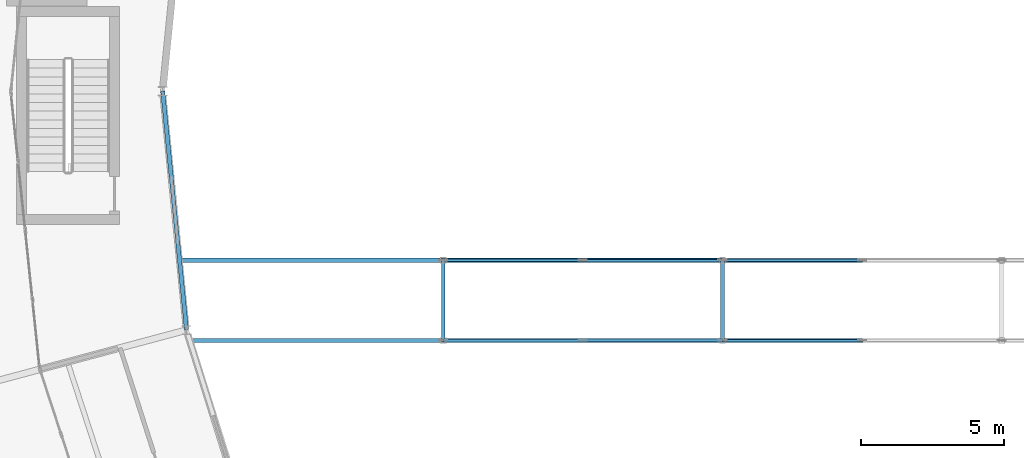
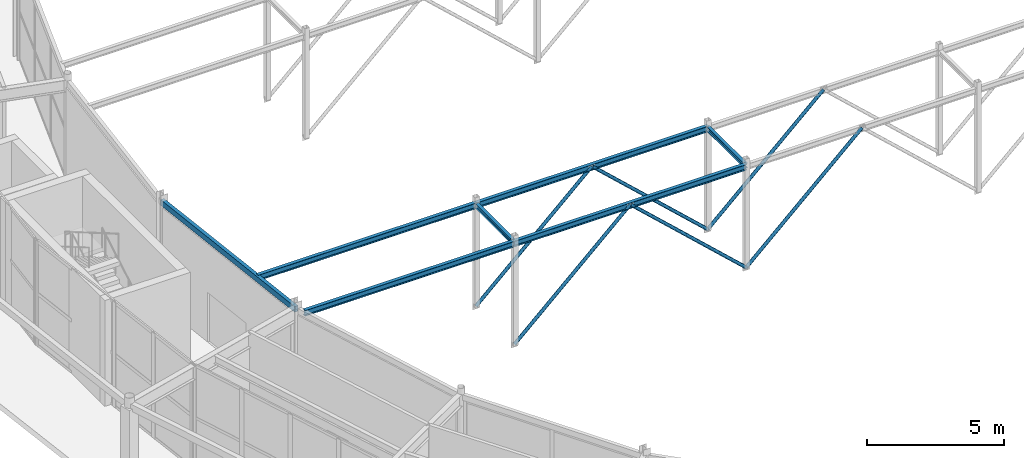
# One storey, part 44 of 144: 7 beams, 6 members.
"""IFC4 building model written with IfcOpenShell, lengths in metres."""

import ifcopenshell
import ifcopenshell.guid

model = None  # the IFC model being written
_history = None  # IfcOwnerHistory: only IFC2X3 demands one
_inside = {}  # id of a spatial element -> (the spatial element, [elements in it])
_under = {}  # id of a project, library or spatial element -> (it, [spatial elements below it])
_declared = {}  # id of a project -> (the project, [libraries it declares])
_typed = {}  # id of a type object -> (the type object, [elements of that type])
_made_of = {}  # id of a material, layer set ... -> (it, [elements and type objects made of it])


def new_model(schema):
    """Start an empty IFC model of exactly this schema.

    Asked for "IFC4X3", IfcOpenShell would pick the latest addendum, in which some entities
    have other attributes; the version numbers below select the first issue.
    IFC2X3 requires an IfcOwnerHistory on every rooted entity: one is made here for all.
    """
    global model, _history
    if schema == "IFC4X3":
        model = ifcopenshell.file(schema_version=(4, 3, 0, 0))
    else:
        model = ifcopenshell.file(schema=schema)
    _inside.clear()
    _under.clear()
    _declared.clear()
    _typed.clear()
    _made_of.clear()
    _history = None
    if model.schema == "IFC2X3":
        org = make("IfcOrganization", Name="unknown")
        user = make(
            "IfcPersonAndOrganization",
            ThePerson=make("IfcPerson", FamilyName="unknown"),
            TheOrganization=org,
        )
        app = make(
            "IfcApplication",
            ApplicationDeveloper=org,
            Version="unknown",
            ApplicationFullName="unknown",
            ApplicationIdentifier="unknown",
        )
        _history = make(
            "IfcOwnerHistory",
            OwningUser=user,
            OwningApplication=app,
            ChangeAction="ADDED",
            CreationDate=0,
        )
    return model


def make(cls, **values):
    """One entity of the class cls with the attributes given. An attribute that is None is left unset."""
    return model.create_entity(
        cls, **{name: value for name, value in values.items() if value is not None}
    )


def rooted(cls, **values):
    """An entity with a GlobalId (a new one), such as an element, a storey or a relation."""
    return make(cls, GlobalId=ifcopenshell.guid.new(), OwnerHistory=_history, **values)


def si_unit(unit_type, name, prefix=None):
    """IfcSIUnit, for example si_unit("LENGTHUNIT", "METRE", prefix="MILLI")."""
    return make("IfcSIUnit", UnitType=unit_type, Prefix=prefix, Name=name)


def assignment(units):
    """IfcUnitAssignment: the units of a project."""
    return None if units is None else make("IfcUnitAssignment", Units=units)


def point(xyz):
    """IfcCartesianPoint."""
    return None if xyz is None else make("IfcCartesianPoint", Coordinates=xyz)


def direction(xyz):
    """IfcDirection."""
    return None if xyz is None else make("IfcDirection", DirectionRatios=xyz)


def frame(location, z_axis=None, x_axis=None):
    """IfcAxis2Placement3D, a coordinate frame: its origin and axes. An axis left out is left unset."""
    return make(
        "IfcAxis2Placement3D",
        Location=point(location),
        Axis=direction(z_axis),
        RefDirection=direction(x_axis),
    )


def frame_2d(location, x_axis=None):
    """IfcAxis2Placement2D, a coordinate frame in the plane: its origin and x axis."""
    return make(
        "IfcAxis2Placement2D", Location=point(location), RefDirection=direction(x_axis)
    )


def origin():
    """The frame at (0, 0, 0) with its axes left unset."""
    return frame((0.0, 0.0, 0.0))


def origin_2d():
    """The frame at (0, 0) in the plane with its x axis left unset."""
    return frame_2d((0.0, 0.0))


def place(relative_to, where):
    """IfcLocalPlacement: puts the frame where relative to a parent placement (None: the world)."""
    return make(
        "IfcLocalPlacement", PlacementRelTo=relative_to, RelativePlacement=where
    )


def context(
    kind, dimensions, precision=None, world=None, true_north=None, identifier=None
):
    """IfcGeometricRepresentationContext, for example the 3D "Model" context."""
    return make(
        "IfcGeometricRepresentationContext",
        ContextIdentifier=identifier,
        ContextType=kind,
        CoordinateSpaceDimension=dimensions,
        Precision=precision,
        WorldCoordinateSystem=world,
        TrueNorth=true_north,
    )


def subcontext(parent, identifier, kind, view, scale=None):
    """IfcGeometricRepresentationSubContext, for example "Body" below "Model"."""
    return make(
        "IfcGeometricRepresentationSubContext",
        ContextIdentifier=identifier,
        ContextType=kind,
        ParentContext=parent,
        TargetScale=scale,
        TargetView=view,
    )


def project(units=None, contexts=None):
    """IfcProject with its units and contexts."""
    return rooted(
        "IfcProject",
        Name="project",
        RepresentationContexts=contexts,
        UnitsInContext=assignment(units),
    )


def spatial(cls, under=None, at=None, **own):
    """A site, building, storey or space (cls), placed at a placement, below another one or the project."""
    s = rooted(cls, ObjectPlacement=at, **own)
    if under is not None:
        _under.setdefault(under.id(), (under, []))[1].append(s)
    return s


def profile(cls, at=None, kind="AREA", **sizes):
    """A parametric profile (cls). Its sizes go by their IFC names, for example OverallWidth=200.0."""
    return make(cls, ProfileType=kind, Position=at, **sizes)


def hollow_rectangle(**sizes):
    """IfcRectangleHollowProfileDef."""
    return profile("IfcRectangleHollowProfileDef", **sizes)


def hollow_circle(**sizes):
    """IfcCircleHollowProfileDef."""
    return profile("IfcCircleHollowProfileDef", **sizes)


def i_section(**sizes):
    """IfcIShapeProfileDef."""
    return profile("IfcIShapeProfileDef", **sizes)


def extrude(swept, where, along, depth):
    """IfcExtrudedAreaSolid: the profile swept, set in the frame where, extruded along a direction by depth."""
    return make(
        "IfcExtrudedAreaSolid",
        SweptArea=swept,
        Position=where,
        ExtrudedDirection=direction(along),
        Depth=depth,
    )


def shape(context_of_items, identifier, shape_type, items):
    """IfcShapeRepresentation: the items that make up one representation, for example the "Body"."""
    return make(
        "IfcShapeRepresentation",
        ContextOfItems=context_of_items,
        RepresentationIdentifier=identifier,
        RepresentationType=shape_type,
        Items=items,
    )


def material(Name=None, Category=None):
    """IfcMaterial."""
    return make("IfcMaterial", Name=Name, Category=Category)


def material_profile(
    of_material, cross_section, Name=None, Category=None, Priority=None
):
    """IfcMaterialProfile: a cross section and its material."""
    return make(
        "IfcMaterialProfile",
        Name=Name,
        Material=of_material,
        Profile=cross_section,
        Priority=Priority,
        Category=Category,
    )


def profile_set(profiles, Name=None, composite=None):
    """IfcMaterialProfileSet."""
    return make(
        "IfcMaterialProfileSet",
        Name=Name,
        MaterialProfiles=profiles,
        CompositeProfile=composite,
    )


def made_of(thing, what):
    """Note that an element or type object is made of a material, layer set ...; save() writes the relation."""
    if what is not None:
        _made_of.setdefault(what.id(), (what, []))[1].append(thing)
    return thing


def type_object(cls, material=None, **own):
    """A type object (cls), such as IfcWallType, which elements share."""
    return made_of(rooted(cls, **own), material)


def element(
    cls,
    number,
    at=None,
    inside=None,
    cuts=None,
    type_object=None,
    material=None,
    context=None,
    identifier="Body",
    shape_type=None,
    held_by="IfcProductDefinitionShape",
    body=None,
    shapes=None,
    **own,
):
    """One element of the class cls, such as IfcWall. Its Tag is "e" and its number.

    at: its placement. inside: the storey or other place that contains it. cuts: it is an
    opening in that element (IfcRelVoidsElement). A single representation is given by context,
    identifier, shape_type and body (its items); several are given by shapes. held_by: the class
    of the entity that holds the representations. save() writes the other relations.
    """
    e = rooted(cls, Tag="e%d" % number, ObjectPlacement=at, **own)
    if body is not None:
        shapes = [shape(context, identifier, shape_type, body)]
    if shapes is not None:
        e.Representation = make(held_by, Representations=shapes)
    if inside is not None:
        _inside.setdefault(inside.id(), (inside, []))[1].append(e)
    if cuts is not None:
        rooted(
            "IfcRelVoidsElement", RelatingBuildingElement=cuts, RelatedOpeningElement=e
        )
    if type_object is not None:
        _typed.setdefault(type_object.id(), (type_object, []))[1].append(e)
    return made_of(e, material)


def aggregate(whole, parts):
    """IfcRelAggregates: a whole, such as a stair, and the parts it consists of."""
    return rooted("IfcRelAggregates", RelatingObject=whole, RelatedObjects=parts)


def save(model, path):
    """Write the relations noted so far, then the file.

    IfcRelAggregates (storeys below a building ...), IfcRelContainedInSpatialStructure (elements
    in a storey), IfcRelDefinesByType, IfcRelAssociatesMaterial and IfcRelDeclares: one each for
    every whole, place, type object, material and project.
    """
    for whole, parts in _under.values():
        aggregate(whole, parts)
    for where, things in _inside.values():
        rooted(
            "IfcRelContainedInSpatialStructure",
            RelatedElements=things,
            RelatingStructure=where,
        )
    for kind, things in _typed.values():
        rooted("IfcRelDefinesByType", RelatedObjects=things, RelatingType=kind)
    for what, things in _made_of.values():
        rooted("IfcRelAssociatesMaterial", RelatedObjects=things, RelatingMaterial=what)
    for by, libraries in _declared.values():
        rooted("IfcRelDeclares", RelatingContext=by, RelatedDefinitions=libraries)
    model.write(path)


model = new_model("IFC4")

# Units and contexts
model_context = context("Model", 3, precision=1e-05, world=origin(), true_north=direction((0.0, 1.0)))
body_context = subcontext(model_context, "Body", "Model", "MODEL_VIEW")
ifc_project = project(units=[si_unit("LENGTHUNIT", "METRE"), si_unit("AREAUNIT", "SQUARE_METRE"), si_unit("VOLUMEUNIT", "CUBIC_METRE"), si_unit("PLANEANGLEUNIT", "RADIAN"), si_unit("MASSUNIT", "GRAM", prefix="KILO")], contexts=[model_context])

# Site, building, storey
site_placement = place(None, origin())
site = spatial("IfcSite", under=ifc_project, at=site_placement, CompositionType="ELEMENT")
building_placement = place(site_placement, origin())
building = spatial("IfcBuilding", under=site, at=building_placement, Name="Karori Crest Natural Sciences Institute", CompositionType="ELEMENT")
storey_placement = place(building_placement, origin())
storey = spatial("IfcBuildingStorey", under=building, at=storey_placement, Name="L00", CompositionType="ELEMENT", Elevation=0.0)

# Beams
ifc_material_1 = material(Name="Structural steel AS/NZS 3679.1 Grade 350", Category="steel")
ifc_material_profile_1 = material_profile(ifc_material_1, i_section(OverallWidth=0.14599609375, OverallDepth=0.256103515625, WebThickness=0.00634765625, FlangeThickness=0.010986328125, FilletRadius=0.009033203125, at=origin_2d()), Name="250UB37.3")
ifc_profile_set_1 = profile_set([ifc_material_profile_1], Name="Structural steel AS/NZS 3679.1 Grade 350")
beam_type_1 = type_object("IfcBeamType", Name="BT-11", PredefinedType="BEAM", material=ifc_profile_set_1)
for number, where, z_axis, x_axis, name in (
    (1, (51.7900390625, 41.199951171875, 4.511962890625), (1.0, 0.0, 0.0), (0.0, 1.0, 0.0), "Beam B-0716"),
    (2, (51.7900390625, 44.0, 4.511962890625), (1.0, 0.0, 0.0), (0.0, 1.0, 0.0), "Beam B-0719"),
):
    element("IfcBeam", number, at=place(storey_placement, frame(where, z_axis=z_axis, x_axis=x_axis)), inside=storey, type_object=beam_type_1, Name=name, PredefinedType="BEAM", context=body_context, shape_type="SweptSolid", body=[
        extrude(i_section(OverallWidth=0.14599609375, OverallDepth=0.256103515625, WebThickness=0.00634765625, FlangeThickness=0.010986328125, FilletRadius=0.009033203125, at=origin_2d()), origin(), (0.0, 0.0, 1.0), 9.739990234375),
    ])
beam_1_placement = place(storey_placement, frame((42.9462890625, 41.199951171875, 4.511962890625), z_axis=(1.0, 0.0, 0.0), x_axis=(0.0, 1.0, 0.0)))
element("IfcBeam", 3, at=beam_1_placement, inside=storey, type_object=beam_type_1, Name="Beam B-2905", PredefinedType="BEAM", context=body_context, shape_type="SweptSolid", body=[
    extrude(i_section(OverallWidth=0.14599609375, OverallDepth=0.256103515625, WebThickness=0.00634765625, FlangeThickness=0.010986328125, FilletRadius=0.009033203125, at=origin_2d()), origin(), (0.0, 0.0, 1.0), 8.84375),
])
beam_2_placement = place(storey_placement, frame((42.588623046875, 44.0, 4.511962890625), z_axis=(1.0, 0.0, 0.0), x_axis=(0.0, 1.0, 0.0)))
element("IfcBeam", 4, at=beam_2_placement, inside=storey, type_object=beam_type_1, Name="Beam B-2907", PredefinedType="BEAM", context=body_context, shape_type="SweptSolid", body=[
    extrude(i_section(OverallWidth=0.14599609375, OverallDepth=0.256103515625, WebThickness=0.00634765625, FlangeThickness=0.010986328125, FilletRadius=0.009033203125, at=origin_2d()), origin(), (0.0, 0.0, 1.0), 9.201416015625),
])
ifc_material_profile_2 = material_profile(ifc_material_1, i_section(OverallWidth=0.134033203125, OverallDepth=0.20703125, WebThickness=0.00634765625, FlangeThickness=0.009521484375, FilletRadius=0.009033203125, at=origin_2d()), Name="200UB29.8")
ifc_profile_set_2 = profile_set([ifc_material_profile_2], Name="Structural steel AS/NZS 3679.1 Grade 350")
beam_type_2 = type_object("IfcBeamType", Name="BT-13", PredefinedType="BEAM", material=ifc_profile_set_2)
for number, where, z_axis, x_axis, name in (
    (5, (51.7900390625, 41.199951171875, 4.52001953125), (0.0, 1.0, 0.0), (-1.0, 0.0, 0.0), "Beam B-0722"),
    (6, (61.530029296875, 41.199951171875, 4.52001953125), (0.0, 1.0, 0.0), (-1.0, 0.0, 0.0), "Beam B-0723"),
):
    element("IfcBeam", number, at=place(storey_placement, frame(where, z_axis=z_axis, x_axis=x_axis)), inside=storey, type_object=beam_type_2, Name=name, PredefinedType="BEAM", context=body_context, shape_type="SweptSolid", body=[
        extrude(i_section(OverallWidth=0.134033203125, OverallDepth=0.20703125, WebThickness=0.00634765625, FlangeThickness=0.009521484375, FilletRadius=0.009033203125, at=origin_2d()), origin(), (0.0, 0.0, 1.0), 2.800048828125),
    ])
ifc_material_2 = material(Name="Hollow structural steel AS/NZS 1163 Grade C350", Category="steel")
ifc_material_profile_3 = material_profile(ifc_material_2, hollow_rectangle(XDim=0.14990234375, YDim=0.25, WallThickness=0.009033203125, at=origin_2d()), Name="RHS250x150x9")
ifc_profile_set_3 = profile_set([ifc_material_profile_3], Name="Hollow structural steel AS/NZS 1163 Grade C350")
beam_type_3 = type_object("IfcBeamType", Name="BT-16", PredefinedType="SPANDREL", material=ifc_profile_set_3)
beam_3_placement = place(storey_placement, frame((42.0, 49.89990234375, 4.489990234375), z_axis=(0.099255508608, -0.995061979985, 0.0), x_axis=(0.995061979985, 0.099255508608, 0.0)))
element("IfcBeam", 7, at=beam_3_placement, inside=storey, type_object=beam_type_3, Name="Beam B-0137", PredefinedType="SPANDREL", context=body_context, shape_type="SweptSolid", body=[
    extrude(hollow_rectangle(XDim=0.14990234375, YDim=0.25, WallThickness=0.009033203125, at=origin_2d()), origin(), (0.0, 0.0, 1.0), 8.375244140625),
])

# Members
ifc_material_profile_4 = material_profile(ifc_material_2, hollow_circle(Radius=0.06982421875, WallThickness=0.00634765625, at=origin_2d()), Name="CHS139.7x6.4")
ifc_profile_set_4 = profile_set([ifc_material_profile_4], Name="Hollow structural steel AS/NZS 1163 Grade C350")
member_type = type_object("IfcMemberType", Name="MT-18", PredefinedType="STRUT", material=ifc_profile_set_4)
member_1_placement = place(storey_placement, frame((51.7900390625, 41.199951171875, 0.010009765625), z_axis=(0.733695473157, 0.0, 0.679478441652), x_axis=(0.0, 1.0, 0.0)))
element("IfcMember", 8, at=member_1_placement, inside=storey, type_object=member_type, Name="Member M-0197", PredefinedType="STRUT", context=body_context, shape_type="SweptSolid", body=[
    extrude(hollow_circle(Radius=0.06982421875, WallThickness=0.00634765625, at=origin_2d()), origin(), (0.0, 0.0, 1.0), 6.637451171875),
])
member_2_placement = place(storey_placement, frame((61.530029296875, 41.199951171875, 0.010009765625), z_axis=(-0.7337124545, 0.0, 0.679460104871), x_axis=(0.0, -1.0, 0.0)))
element("IfcMember", 9, at=member_2_placement, inside=storey, type_object=member_type, Name="Member M-0198", PredefinedType="STRUT", context=body_context, shape_type="SweptSolid", body=[
    extrude(hollow_circle(Radius=0.06982421875, WallThickness=0.00634765625, at=origin_2d()), origin(), (0.0, 0.0, 1.0), 6.6376953125),
])
member_3_placement = place(storey_placement, frame((51.7900390625, 44.0, 0.010009765625), z_axis=(0.733695473157, 0.0, 0.679478441652), x_axis=(0.0, 1.0, 0.0)))
element("IfcMember", 10, at=member_3_placement, inside=storey, type_object=member_type, Name="Member M-0199", PredefinedType="STRUT", context=body_context, shape_type="SweptSolid", body=[
    extrude(hollow_circle(Radius=0.06982421875, WallThickness=0.00634765625, at=origin_2d()), origin(), (0.0, 0.0, 1.0), 6.637451171875),
])
member_4_placement = place(storey_placement, frame((61.530029296875, 44.0, 0.010009765625), z_axis=(-0.7337124545, 0.0, 0.679460104871), x_axis=(0.0, -1.0, 0.0)))
element("IfcMember", 11, at=member_4_placement, inside=storey, type_object=member_type, Name="Member M-0200", PredefinedType="STRUT", context=body_context, shape_type="SweptSolid", body=[
    extrude(hollow_circle(Radius=0.06982421875, WallThickness=0.00634765625, at=origin_2d()), origin(), (0.0, 0.0, 1.0), 6.6376953125),
])
for number, where, z_axis, x_axis, name in (
    (12, (61.530029296875, 41.199951171875, 0.010009765625), (0.733695473157, 0.0, 0.679478441652), (0.0, 1.0, 0.0), "Member M-0201"),
    (13, (61.530029296875, 44.0, 0.010009765625), (0.733695473157, 0.0, 0.679478441652), (0.0, 1.0, 0.0), "Member M-0203"),
):
    element("IfcMember", number, at=place(storey_placement, frame(where, z_axis=z_axis, x_axis=x_axis)), inside=storey, type_object=member_type, Name=name, PredefinedType="STRUT", context=body_context, shape_type="SweptSolid", body=[
        extrude(hollow_circle(Radius=0.06982421875, WallThickness=0.00634765625, at=origin_2d()), origin(), (0.0, 0.0, 1.0), 6.637451171875),
    ])

save(model, "model.ifc")
